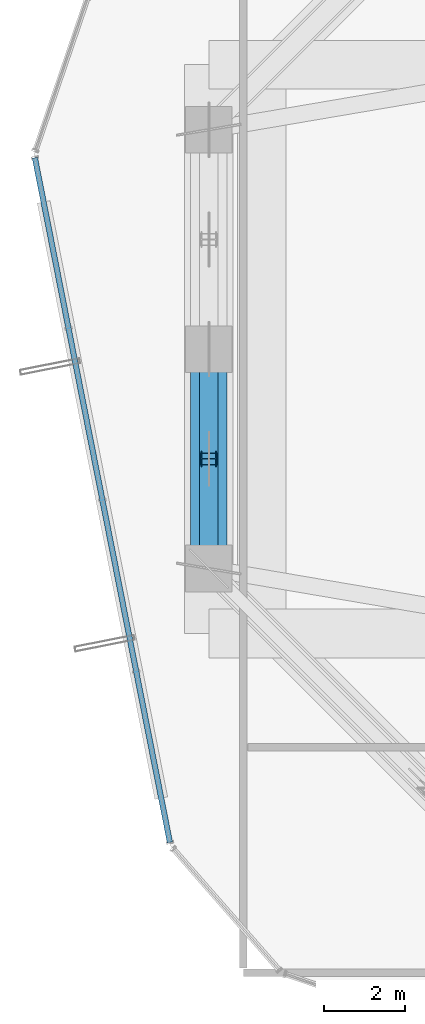
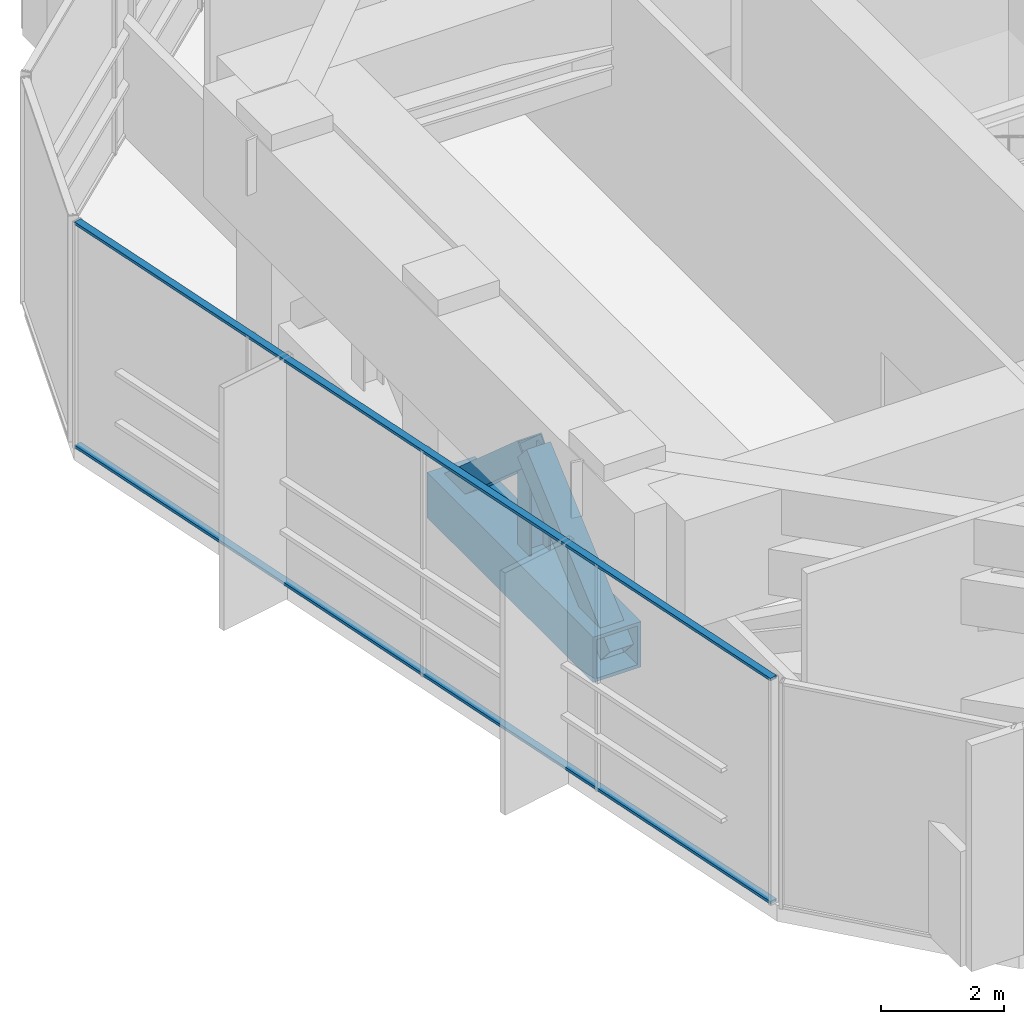
# One storey, part 11 of 36: 6 members, 1 element without a shape of its own.
"""IFC4 building model written with IfcOpenShell, lengths in metres."""

from ifc_helpers import new_model, si_unit, direction, frame, origin, origin_2d, place, context, subcontext, project, spatial, hollow_rectangle, i_section, extrude, source, transform, mapped, material, layer, layer_set, material_profile, profile_set, type_object, element, aggregate, save


model = new_model("IFC4")

# Units and contexts
model_context = context("Model", 3, precision=1e-05, world=origin(), true_north=direction((0.0, 1.0)))
body_context = subcontext(model_context, "Body", "Model", "MODEL_VIEW")
ifc_project = project(units=[si_unit("LENGTHUNIT", "METRE"), si_unit("AREAUNIT", "SQUARE_METRE"), si_unit("VOLUMEUNIT", "CUBIC_METRE"), si_unit("PLANEANGLEUNIT", "RADIAN"), si_unit("MASSUNIT", "GRAM", prefix="KILO")], contexts=[model_context])

# Site, building, storey
site_placement = place(None, origin())
site = spatial("IfcSite", under=ifc_project, at=site_placement, CompositionType="ELEMENT")
building_placement = place(site_placement, origin())
building = spatial("IfcBuilding", under=site, at=building_placement, Name="Veraguas Prism Commons", CompositionType="ELEMENT")
storey_placement = place(building_placement, frame((0.0, 0.0, 169.550048828125)))
storey = spatial("IfcBuildingStorey", under=building, at=storey_placement, Name="L48", CompositionType="ELEMENT", Elevation=169.550048828125)

# Members
ifc_material_1 = material(Name="Steel ASTM A913 Grade 65", Category="steel")
ifc_material_profile_1 = material_profile(ifc_material_1, hollow_rectangle(XDim=0.89990234375, YDim=0.89990234375, WallThickness=0.06494140625, at=origin_2d()), Name="BOX900X900X65")
ifc_profile_set_1 = profile_set([ifc_material_profile_1], Name="Steel ASTM A913 Grade 65")
member_type_1 = type_object("IfcMemberType", Name="Belt Truss Chord L48 Box 900x900x65", PredefinedType="CHORD", material=ifc_profile_set_1)
member_1_placement = place(storey_placement, frame((7.800048828125, 24.0, 0.550048828125), z_axis=(0.0, -1.0, 0.0), x_axis=(1.0, 0.0, 0.0)))
element("IfcMember", 1, at=member_1_placement, inside=storey, type_object=member_type_1, Name="Perimeter Belt Truss Chord Bottom L48-08", PredefinedType="CHORD", context=body_context, shape_type="SweptSolid", body=[
    extrude(hollow_rectangle(XDim=0.89990234375, YDim=0.89990234375, WallThickness=0.06494140625, at=origin_2d()), origin(), (0.0, 0.0, 1.0), 5.39990234375),
])
ifc_material_2 = material(Name="Steel ASTM A992 Grade 50", Category="steel")
ifc_material_profile_2 = material_profile(ifc_material_2, i_section(OverallWidth=0.39794921875, OverallDepth=0.386962890625, WebThickness=0.01904296875, FlangeThickness=0.0302734375, at=origin_2d()), Name="W360X262")
ifc_profile_set_2 = profile_set([ifc_material_profile_2], Name="Steel ASTM A992 Grade 50")
member_type_2 = type_object("IfcMemberType", Name="Belt Truss Vertical Strut W360x262", PredefinedType="STRUT", material=ifc_profile_set_2)
member_2_placement = place(storey_placement, frame((7.800048828125, 21.300048828125, 0.550048828125), z_axis=(0.0, 0.0, 1.0), x_axis=(0.0, -1.0, 0.0)))
element("IfcMember", 2, at=member_2_placement, inside=storey, type_object=member_type_2, Name="Perimeter Belt Truss Strut L48-08", PredefinedType="STRUT", context=body_context, shape_type="SweptSolid", body=[
    extrude(i_section(OverallWidth=0.39794921875, OverallDepth=0.386962890625, WebThickness=0.01904296875, FlangeThickness=0.0302734375, at=origin_2d()), origin(), (0.0, 0.0, 1.0), 2.3798828125),
])
ifc_material_3 = material(Name="Steel ASTM A500 Grade C", Category="steel")
ifc_material_profile_3 = material_profile(ifc_material_3, hollow_rectangle(XDim=0.449951171875, YDim=0.449951171875, WallThickness=0.02197265625, at=origin_2d()), Name="HSS450X450X22")
ifc_profile_set_3 = profile_set([ifc_material_profile_3], Name="Steel ASTM A500 Grade C")
member_type_3 = type_object("IfcMemberType", Name="Mid Belt Diagonal HSS 450x450x22", PredefinedType="BRACE", material=ifc_profile_set_3)
for number, where, z_axis, x_axis, name in (
    (3, (7.800048828125, 24.0, 0.550048828125), (0.0, -0.75017230872, 0.661242396727), (1.0, 0.0, 0.0), "Perimeter Belt Truss Brace L48-08A"),
    (4, (7.800048828125, 18.60009765625, 0.550048828125), (0.0, 0.75017230872, 0.661242396727), (-1.0, 0.0, 0.0), "Perimeter Belt Truss Brace L48-08B"),
):
    element("IfcMember", number, at=place(storey_placement, frame(where, z_axis=z_axis, x_axis=x_axis)), inside=storey, type_object=member_type_3, Name=name, PredefinedType="BRACE", context=body_context, shape_type="SweptSolid", body=[
        extrude(hollow_rectangle(XDim=0.449951171875, YDim=0.449951171875, WallThickness=0.02197265625, at=origin_2d()), origin(), (0.0, 0.0, 1.0), 3.59912109375),
    ])

# Curtain wall, members
ifc_material_4 = material(Name="Anodised aluminium EN AW-6063 T6", Category="aluminium")
ifc_layer = layer(ifc_material_4, 0.169921875, Name="Unitised Flush Curtain Wall Zone 2", Category="aluminium")
ifc_layer_set = layer_set([ifc_layer], Name="Anodised aluminium EN AW-6063 T6")
curtain_wall_type = type_object("IfcCurtainWallType", Name="Unitised Flush Curtain Wall Zone 2", PredefinedType="NOTDEFINED", material=ifc_layer_set)
curtain_wall_placement = place(storey_placement, origin())
curtain_wall = element("IfcCurtainWall", 5, at=curtain_wall_placement, inside=storey, type_object=curtain_wall_type, Name="Tower Facade Curtain Wall L48-F3", PredefinedType="NOTDEFINED")
ifc_material_profile_4 = material_profile(ifc_material_4, hollow_rectangle(XDim=0.054931640625, YDim=0.135009765625, WallThickness=0.0029296875, at=origin_2d()), Name="AL55X135X3")
ifc_profile_set_4 = profile_set([ifc_material_profile_4], Name="Anodised aluminium EN AW-6063 T6")
member_type_4 = type_object("IfcMemberType", Name="Curtain Wall Transom Standard AL 55x135x3", PredefinedType="USERDEFINED", material=ifc_profile_set_4)
shared_shape = source(origin(), body_context, "Body", "SweptSolid", [
    extrude(hollow_rectangle(XDim=0.054931640625, YDim=0.135009765625, WallThickness=0.0029296875, at=origin_2d()), origin(), (0.0, 0.0, 1.0), 17.17431640625),
])
member_3_placement = place(storey_placement, frame((3.518310546875, 28.712158203125, 0.02734375), z_axis=(0.193543015058, -0.981091790467, 0.0), x_axis=(0.0, 0.0, 1.0)))
member_3 = element("IfcMember", 6, at=member_3_placement, type_object=member_type_4, Name="CW-Z2 Transom 1", ObjectType="TRANSOM", PredefinedType="USERDEFINED", context=body_context, shape_type="MappedRepresentation", body=[
    mapped(shared_shape, transform((0.0, 0.0, 0.0), scale=1.0)),
])
member_4_placement = place(storey_placement, frame((3.518310546875, 28.712158203125, 4.452392578125), z_axis=(0.193543015058, -0.981091790467, 0.0), x_axis=(0.0, 0.0, 1.0)))
member_4 = element("IfcMember", 7, at=member_4_placement, type_object=member_type_4, Name="CW-Z2 Transom 2", ObjectType="TRANSOM", PredefinedType="USERDEFINED", context=body_context, shape_type="MappedRepresentation", body=[
    mapped(shared_shape, transform((0.0, 0.0, 0.0), scale=1.0)),
])
aggregate(curtain_wall, [member_3, member_4])

save(model, "model.ifc")
